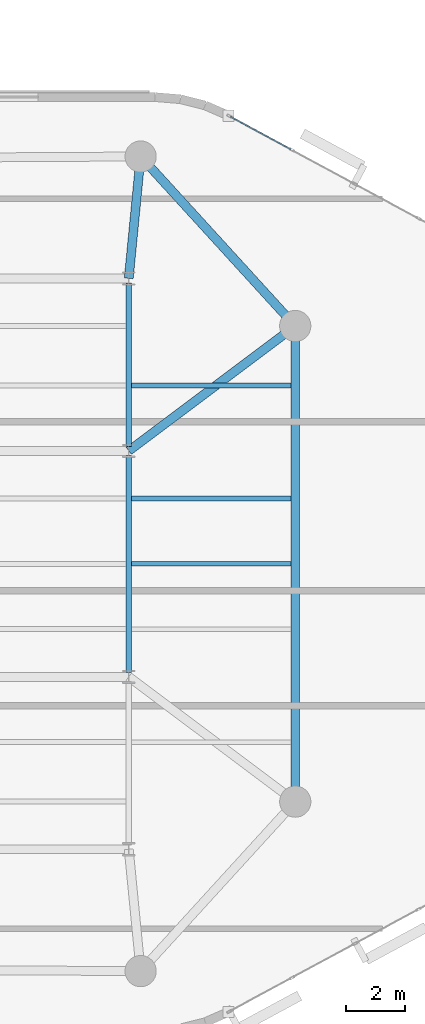
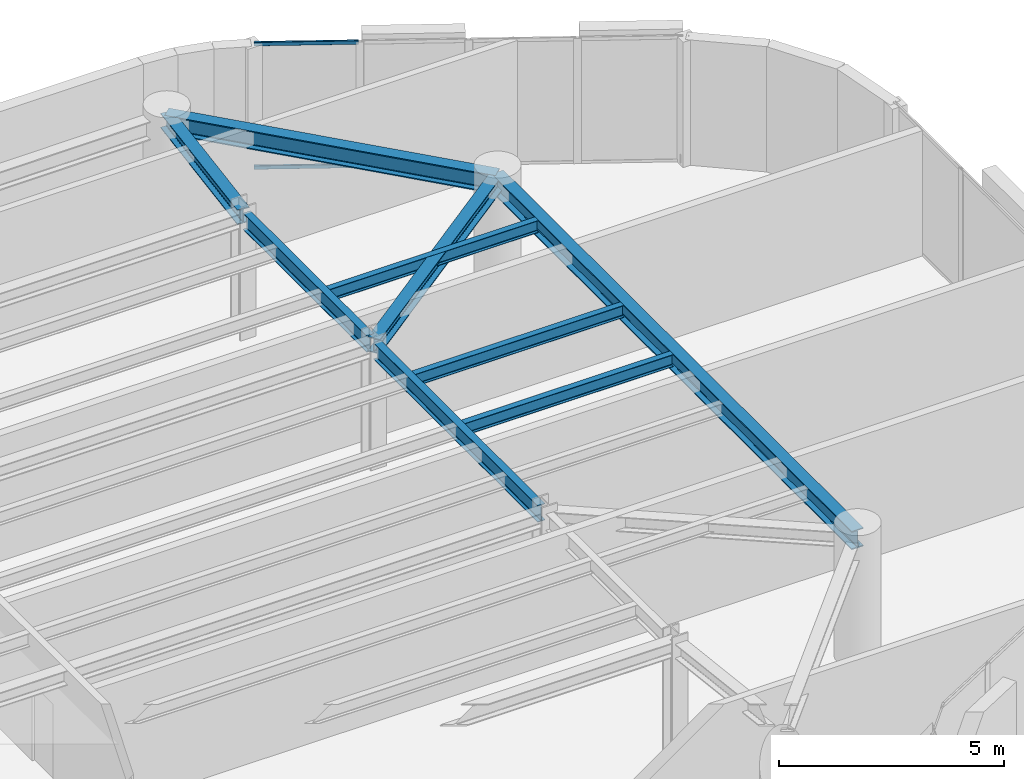
# One storey, part 5 of 13: 9 beams, 2 members, 1 element without a shape of its own.
"""IFC4 building model written with IfcOpenShell, lengths in metres."""

from ifc_helpers import new_model, si_unit, direction, frame, origin, origin_2d, place, context, subcontext, project, spatial, hollow_rectangle, i_section, extrude, material, layer, layer_set, material_profile, profile_set, type_object, element, aggregate, save


model = new_model("IFC4")

# Units and contexts
model_context = context("Model", 3, precision=1e-05, world=origin(), true_north=direction((0.0, 1.0)))
body_context = subcontext(model_context, "Body", "Model", "MODEL_VIEW")
ifc_project = project(units=[si_unit("LENGTHUNIT", "METRE"), si_unit("AREAUNIT", "SQUARE_METRE"), si_unit("VOLUMEUNIT", "CUBIC_METRE"), si_unit("PLANEANGLEUNIT", "RADIAN"), si_unit("MASSUNIT", "GRAM", prefix="KILO")], contexts=[model_context])

# Site, building, storey
site_placement = place(None, origin())
site = spatial("IfcSite", under=ifc_project, at=site_placement, CompositionType="ELEMENT")
building_placement = place(site_placement, origin())
building = spatial("IfcBuilding", under=site, at=building_placement, Name="An Khanh Terracotta Commons", CompositionType="ELEMENT")
storey_placement = place(building_placement, frame((0.0, 0.0, 215.699951171875)))
storey = spatial("IfcBuildingStorey", under=building, at=storey_placement, Name="L56", CompositionType="ELEMENT", Elevation=215.699951171875)

# Beams
ifc_material_1 = material(Name="Steel S355J2", Category="steel")
ifc_material_profile_1 = material_profile(ifc_material_1, i_section(OverallWidth=0.300048828125, OverallDepth=0.39990234375, WebThickness=0.013427734375, FlangeThickness=0.02392578125, FilletRadius=0.027099609375, at=origin_2d()), Name="HEB400")
ifc_profile_set_1 = profile_set([ifc_material_profile_1], Name="Steel S355J2")
beam_type_1 = type_object("IfcBeamType", Name="BM-HEB400", PredefinedType="BEAM", material=ifc_profile_set_1)
beam_1_placement = place(storey_placement, frame((59.60009765625, 32.0, 3.199951171875), z_axis=(-0.800008370399, -0.599988839305, 0.0), x_axis=(0.599988839305, -0.800008370399, 0.0)))
element("IfcBeam", 1, at=beam_1_placement, inside=storey, type_object=beam_type_1, Name="L56 Mega-Column Tie Girder 4", PredefinedType="BEAM", context=body_context, shape_type="SweptSolid", body=[
    extrude(i_section(OverallWidth=0.300048828125, OverallDepth=0.39990234375, WebThickness=0.013427734375, FlangeThickness=0.02392578125, FilletRadius=0.027099609375, at=origin_2d()), origin(), (0.0, 0.0, 1.0), 7.0),
])
beam_2_placement = place(storey_placement, frame((54.39990234375, 37.699951171875, 3.199951171875), z_axis=(-0.097079917443, -0.995276589511, 0.0), x_axis=(0.995276589511, -0.097079917443, 0.0)))
element("IfcBeam", 2, at=beam_2_placement, inside=storey, type_object=beam_type_1, Name="L56 Mega-Column Tie Girder 5", PredefinedType="BEAM", context=body_context, shape_type="SweptSolid", body=[
    extrude(i_section(OverallWidth=0.300048828125, OverallDepth=0.39990234375, WebThickness=0.013427734375, FlangeThickness=0.02392578125, FilletRadius=0.027099609375, at=origin_2d()), origin(), (0.0, 0.0, 1.0), 4.119384765625),
])
ifc_material_profile_2 = material_profile(ifc_material_1, i_section(OverallWidth=0.300048828125, OverallDepth=0.5, WebThickness=0.014404296875, FlangeThickness=0.028076171875, FilletRadius=0.027099609375, at=origin_2d()), Name="HEB500")
ifc_profile_set_2 = profile_set([ifc_material_profile_2], Name="Steel S355J2")
beam_type_2 = type_object("IfcBeamType", Name="BM-HEB500", PredefinedType="BEAM", material=ifc_profile_set_2)
beam_3_placement = place(storey_placement, frame((59.60009765625, 16.0, 3.150146484375), z_axis=(0.0, 1.0, 0.0), x_axis=(-1.0, 0.0, 0.0)))
element("IfcBeam", 3, at=beam_3_placement, inside=storey, type_object=beam_type_2, Name="L56 Perimeter Ring Spandrel 3", PredefinedType="BEAM", context=body_context, shape_type="SweptSolid", body=[
    extrude(i_section(OverallWidth=0.300048828125, OverallDepth=0.5, WebThickness=0.014404296875, FlangeThickness=0.028076171875, FilletRadius=0.027099609375, at=origin_2d()), origin(), (0.0, 0.0, 1.0), 16.0),
])
beam_4_placement = place(storey_placement, frame((59.60009765625, 32.0, 3.150146484375), z_axis=(-0.673978953902, 0.738750546326, 0.0), x_axis=(-0.738750546326, -0.673978953902, 0.0)))
element("IfcBeam", 4, at=beam_4_placement, inside=storey, type_object=beam_type_2, Name="L56 Perimeter Ring Spandrel 4", PredefinedType="BEAM", context=body_context, shape_type="SweptSolid", body=[
    extrude(i_section(OverallWidth=0.300048828125, OverallDepth=0.5, WebThickness=0.014404296875, FlangeThickness=0.028076171875, FilletRadius=0.027099609375, at=origin_2d()), origin(), (0.0, 0.0, 1.0), 7.715576171875),
])
ifc_material_profile_3 = material_profile(ifc_material_1, i_section(OverallWidth=0.159912109375, OverallDepth=0.330078125, WebThickness=0.007568359375, FlangeThickness=0.011474609375, FilletRadius=0.01806640625, at=origin_2d()), Name="IPE330")
ifc_profile_set_3 = profile_set([ifc_material_profile_3], Name="Steel S355J2")
beam_type_3 = type_object("IfcBeamType", Name="BM-IPE330", PredefinedType="JOIST", material=ifc_profile_set_3)
for number, where, z_axis, x_axis, name in (
    (5, (54.094970703125, 24.0, 3.235107421875), (1.0, 0.0, 0.0), (0.0, 1.0, 0.0), "L56 Riverfront Composite Joist 4"),
    (6, (54.094970703125, 26.199951171875, 3.235107421875), (1.0, 0.0, 0.0), (0.0, 1.0, 0.0), "L56 Riverfront Composite Joist 5"),
    (7, (54.094970703125, 30.0, 3.235107421875), (1.0, 0.0, 0.0), (0.0, 1.0, 0.0), "L56 Riverfront Composite Joist 6"),
):
    element("IfcBeam", number, at=place(storey_placement, frame(where, z_axis=z_axis, x_axis=x_axis)), inside=storey, type_object=beam_type_3, Name=name, PredefinedType="JOIST", context=body_context, shape_type="SweptSolid", body=[
        extrude(i_section(OverallWidth=0.159912109375, OverallDepth=0.330078125, WebThickness=0.007568359375, FlangeThickness=0.011474609375, FilletRadius=0.01806640625, at=origin_2d()), origin(), (0.0, 0.0, 1.0), 5.35498046875),
    ])
ifc_material_profile_4 = material_profile(ifc_material_1, i_section(OverallWidth=0.18994140625, OverallDepth=0.449951171875, WebThickness=0.009521484375, FlangeThickness=0.0146484375, FilletRadius=0.02099609375, at=origin_2d()), Name="IPE450")
ifc_profile_set_4 = profile_set([ifc_material_profile_4], Name="Steel S355J2")
beam_type_4 = type_object("IfcBeamType", Name="BM-IPE450", PredefinedType="JOIST", material=ifc_profile_set_4)
beam_5_placement = place(storey_placement, frame((54.0, 20.35009765625, 3.175048828125), z_axis=(0.0, 1.0, 0.0), x_axis=(-1.0, 0.0, 0.0)))
element("IfcBeam", 8, at=beam_5_placement, inside=storey, type_object=beam_type_4, Name="L56 East Spine Girder 2", PredefinedType="JOIST", context=body_context, shape_type="SweptSolid", body=[
    extrude(i_section(OverallWidth=0.18994140625, OverallDepth=0.449951171875, WebThickness=0.009521484375, FlangeThickness=0.0146484375, FilletRadius=0.02099609375, at=origin_2d()), origin(), (0.0, 0.0, 1.0), 7.2998046875),
])
beam_6_placement = place(storey_placement, frame((54.0, 27.949951171875, 3.175048828125), z_axis=(0.0, 1.0, 0.0), x_axis=(-1.0, 0.0, 0.0)))
element("IfcBeam", 9, at=beam_6_placement, inside=storey, type_object=beam_type_4, Name="L56 East Spine Girder 3", PredefinedType="JOIST", context=body_context, shape_type="SweptSolid", body=[
    extrude(i_section(OverallWidth=0.18994140625, OverallDepth=0.449951171875, WebThickness=0.009521484375, FlangeThickness=0.0146484375, FilletRadius=0.02099609375, at=origin_2d()), origin(), (0.0, 0.0, 1.0), 5.5),
])

# Curtain wall, members
ifc_material_2 = material(Name="Anodised Aluminium 6063-T6", Category="aluminium")
ifc_layer = layer(ifc_material_2, 0.2099609375, Name="Anodised Aluminium 6063-T6")
ifc_layer_set = layer_set([ifc_layer], Name="Anodised Aluminium 6063-T6")
curtain_wall_type = type_object("IfcCurtainWallType", Name="CW-SYS-03", PredefinedType="USERDEFINED", material=ifc_layer_set)
curtain_wall_placement = place(storey_placement, origin())
curtain_wall = element("IfcCurtainWall", 10, at=curtain_wall_placement, inside=storey, type_object=curtain_wall_type, Name="L56 CW-03 Unitised Curtain Wall CW-L56-16", ObjectType="UNITISED CURTAIN WALL", PredefinedType="USERDEFINED")
ifc_material_profile_5 = material_profile(ifc_material_2, hollow_rectangle(XDim=0.050048828125, YDim=0.10009765625, WallThickness=0.003173828125, InnerFilletRadius=0.003173828125, OuterFilletRadius=0.00634765625, at=origin_2d()), Name="RHS100x50x3.2")
ifc_profile_set_5 = profile_set([ifc_material_profile_5], Name="Anodised Aluminium 6063-T6")
member_type = type_object("IfcMemberType", Name="CWT-RHS100x50x3.2", PredefinedType="USERDEFINED", material=ifc_profile_set_5)
member_1_placement = place(storey_placement, frame((59.455078125, 37.94140625, 0.025146484375), z_axis=(-0.879779245677, 0.475382455373, 0.0), x_axis=(-0.475382455373, -0.879779245677, 0.0)))
member_1 = element("IfcMember", 11, at=member_1_placement, type_object=member_type, Name="CW-03 transom 4.1", ObjectType="TRANSOM", PredefinedType="USERDEFINED", context=body_context, shape_type="SweptSolid", body=[
    extrude(hollow_rectangle(XDim=0.050048828125, YDim=0.10009765625, WallThickness=0.003173828125, InnerFilletRadius=0.003173828125, OuterFilletRadius=0.00634765625, at=origin_2d()), origin(), (0.0, 0.0, 1.0), 2.314697265625),
])
member_2_placement = place(storey_placement, frame((59.455078125, 37.94140625, 3.375), z_axis=(-0.879779245677, 0.475382455373, 0.0), x_axis=(-0.475382455373, -0.879779245677, 0.0)))
member_2 = element("IfcMember", 12, at=member_2_placement, type_object=member_type, Name="CW-03 transom 4.2", ObjectType="TRANSOM", PredefinedType="USERDEFINED", context=body_context, shape_type="SweptSolid", body=[
    extrude(hollow_rectangle(XDim=0.050048828125, YDim=0.10009765625, WallThickness=0.003173828125, InnerFilletRadius=0.003173828125, OuterFilletRadius=0.00634765625, at=origin_2d()), origin(), (0.0, 0.0, 1.0), 2.314697265625),
])
aggregate(curtain_wall, [member_1, member_2])

save(model, "model.ifc")
